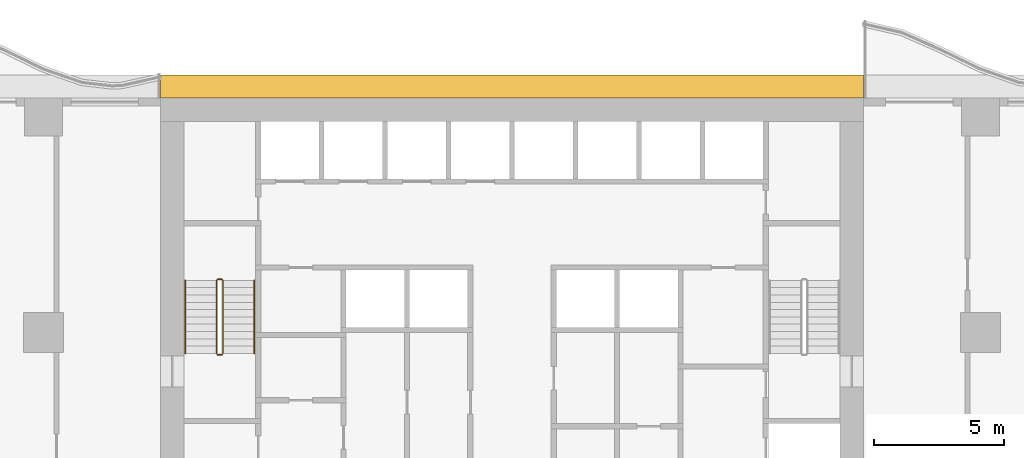
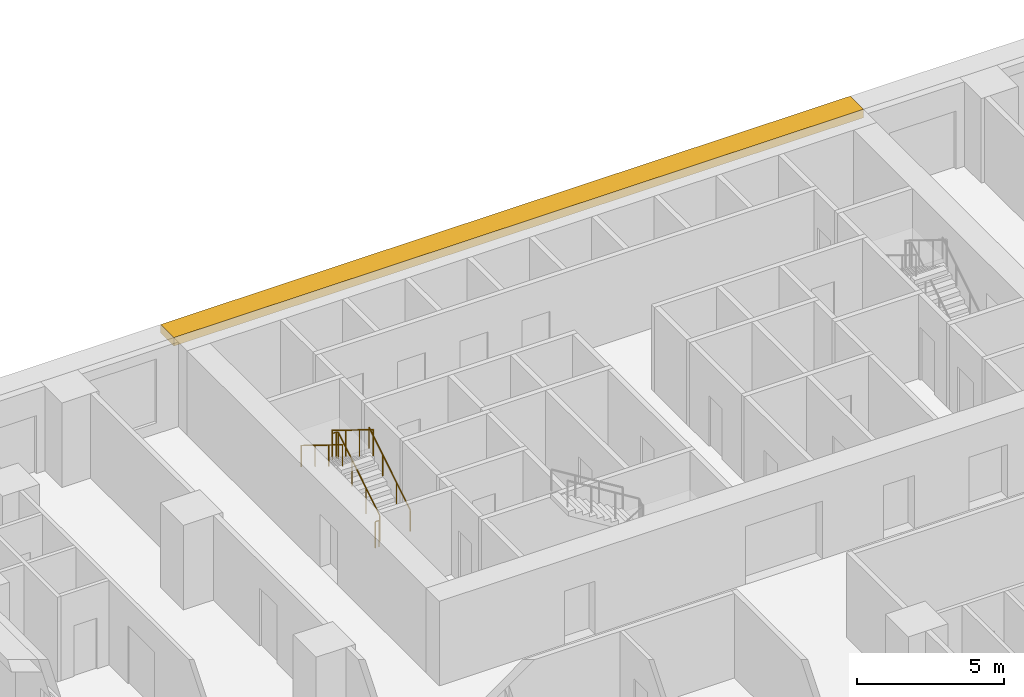
# One storey, part 12 of 14: 4 railings, 1 shading device.
"""IFC4 building model written with IfcOpenShell, lengths in metres."""

from ifc_helpers import new_model, si_unit, direction, frame, origin, origin_2d, place, context, subcontext, project, spatial, polyline, circle, outline, extrude, material, layer, layer_set, type_object, element, save


model = new_model("IFC4")

# Units and contexts
model_context = context("Model", 3, precision=1e-05, world=origin(), true_north=direction((0.0, 1.0)))
body_context = subcontext(model_context, "Body", "Model", "MODEL_VIEW")
ifc_project = project(units=[si_unit("LENGTHUNIT", "METRE"), si_unit("AREAUNIT", "SQUARE_METRE"), si_unit("VOLUMEUNIT", "CUBIC_METRE"), si_unit("PLANEANGLEUNIT", "RADIAN"), si_unit("MASSUNIT", "GRAM", prefix="KILO")], contexts=[model_context])

# Site, building, storey
site_placement = place(None, origin())
site = spatial("IfcSite", under=ifc_project, at=site_placement, CompositionType="ELEMENT")
building_placement = place(site_placement, origin())
building = spatial("IfcBuilding", under=site, at=building_placement, Name="Orbiselva Terraces", CompositionType="ELEMENT")
storey_placement = place(building_placement, frame((0.0, 0.0, 34.0)))
storey = spatial("IfcBuildingStorey", under=building, at=storey_placement, Name="L08", CompositionType="ELEMENT", Elevation=34.0)

# Railings
ifc_material_1 = material(Name="Stainless steel", Category="steel")
railing_type_1 = type_object("IfcRailingType", Name="CORE-GUARD-1100", PredefinedType="GUARDRAIL", material=ifc_material_1)
railing_1_placement = place(storey_placement, frame((-11.1, 12.7, 0.172727)))
element("IfcRailing", 1, at=railing_1_placement, inside=storey, type_object=railing_type_1, Name="L08 S1 stair guard 1", PredefinedType="GUARDRAIL", context=body_context, shape_type="SweptSolid", body=[
    extrude(circle(Radius=0.024, at=origin_2d()), frame((0.0, 0.0, 1.081), z_axis=(0.0, 0.851088519012, 0.52502222125), x_axis=(-1.0, 0.0, 0.0)), (0.0, 0.0, 1.0), 3.289905),
    extrude(circle(Radius=0.024, at=origin_2d()), frame((0.0, 2.8, 2.808273), z_axis=(-0.707106781187, 0.707106781187, 0.0), x_axis=(-0.707106781187, -0.707106781187, 0.0)), (0.0, 0.0, 1.0), 0.070711),
    extrude(circle(Radius=0.024, at=origin_2d()), frame((-0.05, 2.85, 2.808273), z_axis=(-1.0, 0.0, 0.0), x_axis=(0.0, -1.0, 0.0)), (0.0, 0.0, 1.0), 0.15),
    extrude(circle(Radius=0.024, at=origin_2d()), frame((-0.2, 2.85, 2.808273), z_axis=(-0.267894925557, -0.267894925557, 0.925453736133), x_axis=(0.707106781187, -0.707106781187, 0.0)), (0.0, 0.0, 1.0), 0.18664),
    extrude(circle(Radius=0.024, at=origin_2d()), frame((-0.25, 2.8, 2.981), z_axis=(0.0, -0.851088519012, 0.52502222125), x_axis=(1.0, 0.0, 0.0)), (0.0, 0.0, 1.0), 3.289905),
    extrude(circle(Radius=0.021, at=origin_2d()), origin(), (0.0, 0.0, 1.0), 1.057),
    extrude(circle(Radius=0.021, at=origin_2d()), frame((0.0, 0.933333, 0.575758)), (0.0, 0.0, 1.0), 1.057),
    extrude(circle(Radius=0.021, at=origin_2d()), frame((0.0, 1.866667, 1.151515)), (0.0, 0.0, 1.0), 1.057),
    extrude(circle(Radius=0.021, at=origin_2d()), frame((0.0, 2.8, 1.727273)), (0.0, 0.0, 1.0), 1.057),
    extrude(circle(Radius=0.021, at=origin_2d()), frame((-0.05, 2.85, 1.727273)), (0.0, 0.0, 1.0), 1.057),
    extrude(circle(Radius=0.021, at=origin_2d()), frame((-0.2, 2.85, 1.727273)), (0.0, 0.0, 1.0), 1.057),
    extrude(circle(Radius=0.021, at=origin_2d()), frame((-0.25, 2.8, 1.9)), (0.0, 0.0, 1.0), 1.057),
    extrude(circle(Radius=0.021, at=origin_2d()), frame((-0.25, 1.866667, 2.475758)), (0.0, 0.0, 1.0), 1.057),
    extrude(circle(Radius=0.021, at=origin_2d()), frame((-0.25, 0.933333, 3.051515)), (0.0, 0.0, 1.0), 1.057),
    extrude(circle(Radius=0.021, at=origin_2d()), frame((-0.25, 0.0, 3.627273)), (0.0, 0.0, 1.0), 1.057),
])
railing_2_placement = place(storey_placement, frame((-11.15, 12.65, 0.0)))
element("IfcRailing", 2, at=railing_2_placement, inside=storey, type_object=railing_type_1, Name="L08 S1 stair guard 2", PredefinedType="GUARDRAIL", context=body_context, shape_type="SweptSolid", body=[
    extrude(circle(Radius=0.024, at=origin_2d()), frame((0.0, 0.0, 1.081), z_axis=(-1.0, 0.0, 0.0), x_axis=(0.0, -1.0, 0.0)), (0.0, 0.0, 1.0), 0.15),
    extrude(circle(Radius=0.021, at=origin_2d()), origin(), (0.0, 0.0, 1.0), 1.057),
    extrude(circle(Radius=0.021, at=origin_2d()), frame((-0.15, 0.0, 0.0)), (0.0, 0.0, 1.0), 1.057),
])
railing_type_2 = type_object("IfcRailingType", Name="CORE-HANDRAIL-900", PredefinedType="HANDRAIL", material=ifc_material_1)
railing_3_placement = place(storey_placement, frame((-9.9, 12.7, 0.172727)))
element("IfcRailing", 3, at=railing_3_placement, inside=storey, type_object=railing_type_2, Name="L08 S1 stair handrail 1", PredefinedType="HANDRAIL", context=body_context, shape_type="SweptSolid", body=[
    extrude(circle(Radius=0.024, at=origin_2d()), frame((0.0, 0.0, 0.876), z_axis=(0.0, 0.851088519012, 0.52502222125), x_axis=(-1.0, 0.0, 0.0)), (0.0, 0.0, 1.0), 3.289905),
    extrude(circle(Radius=0.021, at=origin_2d()), origin(), (0.0, 0.0, 1.0), 0.852),
    extrude(circle(Radius=0.021, at=origin_2d()), frame((0.0, 0.933333, 0.575758)), (0.0, 0.0, 1.0), 0.852),
    extrude(circle(Radius=0.021, at=origin_2d()), frame((0.0, 1.866667, 1.151515)), (0.0, 0.0, 1.0), 0.852),
    extrude(circle(Radius=0.021, at=origin_2d()), frame((0.0, 2.8, 1.727273)), (0.0, 0.0, 1.0), 0.852),
])
railing_4_placement = place(storey_placement, frame((-12.55, 15.5, 2.072727)))
element("IfcRailing", 4, at=railing_4_placement, inside=storey, type_object=railing_type_2, Name="L08 S1 stair handrail 2", PredefinedType="HANDRAIL", context=body_context, shape_type="SweptSolid", body=[
    extrude(circle(Radius=0.024, at=origin_2d()), frame((0.0, 0.0, 0.876), z_axis=(0.0, -0.851088519012, 0.52502222125), x_axis=(1.0, 0.0, 0.0)), (0.0, 0.0, 1.0), 3.289905),
    extrude(circle(Radius=0.021, at=origin_2d()), origin(), (0.0, 0.0, 1.0), 0.852),
    extrude(circle(Radius=0.021, at=origin_2d()), frame((0.0, -0.933333, 0.575758)), (0.0, 0.0, 1.0), 0.852),
    extrude(circle(Radius=0.021, at=origin_2d()), frame((0.0, -1.866667, 1.151515)), (0.0, 0.0, 1.0), 0.852),
    extrude(circle(Radius=0.021, at=origin_2d()), frame((0.0, -2.8, 1.727273)), (0.0, 0.0, 1.0), 0.852),
])

# Shading device
ifc_material_2 = material(Name="Terracotta baguette sunshade", Category="masonry")
ifc_layer = layer(ifc_material_2, 0.35)
ifc_layer_set = layer_set([ifc_layer], Name="Terracotta baguette sunshade")
shading_device_type = type_object("IfcShadingDeviceType", Name="ENV-SUNSHADE-900x350", PredefinedType="USERDEFINED", material=ifc_layer_set)
shading_device_placement = place(storey_placement, frame((0.0, 0.0, 3.15)))
element("IfcShadingDevice", 5, at=shading_device_placement, inside=storey, type_object=shading_device_type, Name="Sunshade band L08 CORE NORTH", ObjectType="SUNSHADE", PredefinedType="USERDEFINED", context=body_context, shape_type="SweptSolid", body=[
    extrude(outline(polyline([(13.5, 23.4), (-13.5, 23.4), (-13.5, 22.5), (13.5, 22.5), (13.5, 23.4)])), origin(), (0.0, 0.0, 1.0), 0.35),
])

save(model, "model.ifc")
